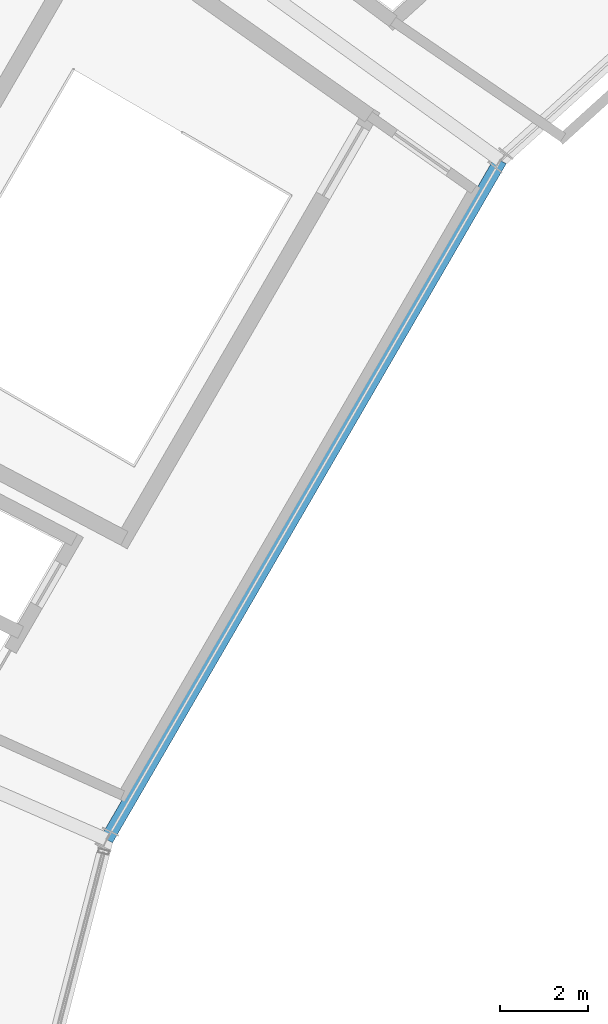
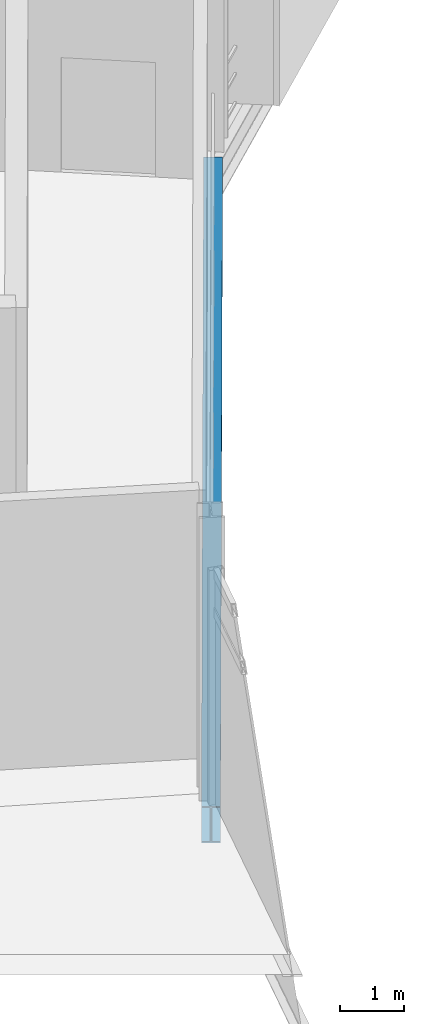
# One storey, part 45 of 86: 1 beam.
"""IFC4 building model written with IfcOpenShell, lengths in metres."""

import ifcopenshell
import ifcopenshell.guid

model = None  # the IFC model being written
_history = None  # IfcOwnerHistory: only IFC2X3 demands one
_inside = {}  # id of a spatial element -> (the spatial element, [elements in it])
_under = {}  # id of a project, library or spatial element -> (it, [spatial elements below it])
_declared = {}  # id of a project -> (the project, [libraries it declares])
_typed = {}  # id of a type object -> (the type object, [elements of that type])
_made_of = {}  # id of a material, layer set ... -> (it, [elements and type objects made of it])


def new_model(schema):
    """Start an empty IFC model of exactly this schema.

    Asked for "IFC4X3", IfcOpenShell would pick the latest addendum, in which some entities
    have other attributes; the version numbers below select the first issue.
    IFC2X3 requires an IfcOwnerHistory on every rooted entity: one is made here for all.
    """
    global model, _history
    if schema == "IFC4X3":
        model = ifcopenshell.file(schema_version=(4, 3, 0, 0))
    else:
        model = ifcopenshell.file(schema=schema)
    _inside.clear()
    _under.clear()
    _declared.clear()
    _typed.clear()
    _made_of.clear()
    _history = None
    if model.schema == "IFC2X3":
        org = make("IfcOrganization", Name="unknown")
        user = make(
            "IfcPersonAndOrganization",
            ThePerson=make("IfcPerson", FamilyName="unknown"),
            TheOrganization=org,
        )
        app = make(
            "IfcApplication",
            ApplicationDeveloper=org,
            Version="unknown",
            ApplicationFullName="unknown",
            ApplicationIdentifier="unknown",
        )
        _history = make(
            "IfcOwnerHistory",
            OwningUser=user,
            OwningApplication=app,
            ChangeAction="ADDED",
            CreationDate=0,
        )
    return model


def make(cls, **values):
    """One entity of the class cls with the attributes given. An attribute that is None is left unset."""
    return model.create_entity(
        cls, **{name: value for name, value in values.items() if value is not None}
    )


def rooted(cls, **values):
    """An entity with a GlobalId (a new one), such as an element, a storey or a relation."""
    return make(cls, GlobalId=ifcopenshell.guid.new(), OwnerHistory=_history, **values)


def si_unit(unit_type, name, prefix=None):
    """IfcSIUnit, for example si_unit("LENGTHUNIT", "METRE", prefix="MILLI")."""
    return make("IfcSIUnit", UnitType=unit_type, Prefix=prefix, Name=name)


def assignment(units):
    """IfcUnitAssignment: the units of a project."""
    return None if units is None else make("IfcUnitAssignment", Units=units)


def point(xyz):
    """IfcCartesianPoint."""
    return None if xyz is None else make("IfcCartesianPoint", Coordinates=xyz)


def direction(xyz):
    """IfcDirection."""
    return None if xyz is None else make("IfcDirection", DirectionRatios=xyz)


def frame(location, z_axis=None, x_axis=None):
    """IfcAxis2Placement3D, a coordinate frame: its origin and axes. An axis left out is left unset."""
    return make(
        "IfcAxis2Placement3D",
        Location=point(location),
        Axis=direction(z_axis),
        RefDirection=direction(x_axis),
    )


def frame_2d(location, x_axis=None):
    """IfcAxis2Placement2D, a coordinate frame in the plane: its origin and x axis."""
    return make(
        "IfcAxis2Placement2D", Location=point(location), RefDirection=direction(x_axis)
    )


def origin():
    """The frame at (0, 0, 0) with its axes left unset."""
    return frame((0.0, 0.0, 0.0))


def origin_2d():
    """The frame at (0, 0) in the plane with its x axis left unset."""
    return frame_2d((0.0, 0.0))


def place(relative_to, where):
    """IfcLocalPlacement: puts the frame where relative to a parent placement (None: the world)."""
    return make(
        "IfcLocalPlacement", PlacementRelTo=relative_to, RelativePlacement=where
    )


def context(
    kind, dimensions, precision=None, world=None, true_north=None, identifier=None
):
    """IfcGeometricRepresentationContext, for example the 3D "Model" context."""
    return make(
        "IfcGeometricRepresentationContext",
        ContextIdentifier=identifier,
        ContextType=kind,
        CoordinateSpaceDimension=dimensions,
        Precision=precision,
        WorldCoordinateSystem=world,
        TrueNorth=true_north,
    )


def subcontext(parent, identifier, kind, view, scale=None):
    """IfcGeometricRepresentationSubContext, for example "Body" below "Model"."""
    return make(
        "IfcGeometricRepresentationSubContext",
        ContextIdentifier=identifier,
        ContextType=kind,
        ParentContext=parent,
        TargetScale=scale,
        TargetView=view,
    )


def project(units=None, contexts=None):
    """IfcProject with its units and contexts."""
    return rooted(
        "IfcProject",
        Name="project",
        RepresentationContexts=contexts,
        UnitsInContext=assignment(units),
    )


def spatial(cls, under=None, at=None, **own):
    """A site, building, storey or space (cls), placed at a placement, below another one or the project."""
    s = rooted(cls, ObjectPlacement=at, **own)
    if under is not None:
        _under.setdefault(under.id(), (under, []))[1].append(s)
    return s


def profile(cls, at=None, kind="AREA", **sizes):
    """A parametric profile (cls). Its sizes go by their IFC names, for example OverallWidth=200.0."""
    return make(cls, ProfileType=kind, Position=at, **sizes)


def i_section(**sizes):
    """IfcIShapeProfileDef."""
    return profile("IfcIShapeProfileDef", **sizes)


def extrude(swept, where, along, depth):
    """IfcExtrudedAreaSolid: the profile swept, set in the frame where, extruded along a direction by depth."""
    return make(
        "IfcExtrudedAreaSolid",
        SweptArea=swept,
        Position=where,
        ExtrudedDirection=direction(along),
        Depth=depth,
    )


def shape(context_of_items, identifier, shape_type, items):
    """IfcShapeRepresentation: the items that make up one representation, for example the "Body"."""
    return make(
        "IfcShapeRepresentation",
        ContextOfItems=context_of_items,
        RepresentationIdentifier=identifier,
        RepresentationType=shape_type,
        Items=items,
    )


def material(Name=None, Category=None):
    """IfcMaterial."""
    return make("IfcMaterial", Name=Name, Category=Category)


def material_profile(
    of_material, cross_section, Name=None, Category=None, Priority=None
):
    """IfcMaterialProfile: a cross section and its material."""
    return make(
        "IfcMaterialProfile",
        Name=Name,
        Material=of_material,
        Profile=cross_section,
        Priority=Priority,
        Category=Category,
    )


def profile_set(profiles, Name=None, composite=None):
    """IfcMaterialProfileSet."""
    return make(
        "IfcMaterialProfileSet",
        Name=Name,
        MaterialProfiles=profiles,
        CompositeProfile=composite,
    )


def made_of(thing, what):
    """Note that an element or type object is made of a material, layer set ...; save() writes the relation."""
    if what is not None:
        _made_of.setdefault(what.id(), (what, []))[1].append(thing)
    return thing


def type_object(cls, material=None, **own):
    """A type object (cls), such as IfcWallType, which elements share."""
    return made_of(rooted(cls, **own), material)


def element(
    cls,
    number,
    at=None,
    inside=None,
    cuts=None,
    type_object=None,
    material=None,
    context=None,
    identifier="Body",
    shape_type=None,
    held_by="IfcProductDefinitionShape",
    body=None,
    shapes=None,
    **own,
):
    """One element of the class cls, such as IfcWall. Its Tag is "e" and its number.

    at: its placement. inside: the storey or other place that contains it. cuts: it is an
    opening in that element (IfcRelVoidsElement). A single representation is given by context,
    identifier, shape_type and body (its items); several are given by shapes. held_by: the class
    of the entity that holds the representations. save() writes the other relations.
    """
    e = rooted(cls, Tag="e%d" % number, ObjectPlacement=at, **own)
    if body is not None:
        shapes = [shape(context, identifier, shape_type, body)]
    if shapes is not None:
        e.Representation = make(held_by, Representations=shapes)
    if inside is not None:
        _inside.setdefault(inside.id(), (inside, []))[1].append(e)
    if cuts is not None:
        rooted(
            "IfcRelVoidsElement", RelatingBuildingElement=cuts, RelatedOpeningElement=e
        )
    if type_object is not None:
        _typed.setdefault(type_object.id(), (type_object, []))[1].append(e)
    return made_of(e, material)


def aggregate(whole, parts):
    """IfcRelAggregates: a whole, such as a stair, and the parts it consists of."""
    return rooted("IfcRelAggregates", RelatingObject=whole, RelatedObjects=parts)


def save(model, path):
    """Write the relations noted so far, then the file.

    IfcRelAggregates (storeys below a building ...), IfcRelContainedInSpatialStructure (elements
    in a storey), IfcRelDefinesByType, IfcRelAssociatesMaterial and IfcRelDeclares: one each for
    every whole, place, type object, material and project.
    """
    for whole, parts in _under.values():
        aggregate(whole, parts)
    for where, things in _inside.values():
        rooted(
            "IfcRelContainedInSpatialStructure",
            RelatedElements=things,
            RelatingStructure=where,
        )
    for kind, things in _typed.values():
        rooted("IfcRelDefinesByType", RelatedObjects=things, RelatingType=kind)
    for what, things in _made_of.values():
        rooted("IfcRelAssociatesMaterial", RelatedObjects=things, RelatingMaterial=what)
    for by, libraries in _declared.values():
        rooted("IfcRelDeclares", RelatingContext=by, RelatedDefinitions=libraries)
    model.write(path)


model = new_model("IFC4")

# Units and contexts
model_context = context("Model", 3, precision=1e-05, world=origin(), true_north=direction((0.0, 1.0)))
body_context = subcontext(model_context, "Body", "Model", "MODEL_VIEW")
ifc_project = project(units=[si_unit("LENGTHUNIT", "METRE"), si_unit("AREAUNIT", "SQUARE_METRE"), si_unit("VOLUMEUNIT", "CUBIC_METRE"), si_unit("PLANEANGLEUNIT", "RADIAN"), si_unit("MASSUNIT", "GRAM", prefix="KILO")], contexts=[model_context])

# Site, building, storey
site_placement = place(None, origin())
site = spatial("IfcSite", under=ifc_project, at=site_placement, CompositionType="ELEMENT")
building_placement = place(site_placement, origin())
building = spatial("IfcBuilding", under=site, at=building_placement, Name="Kazemori Nagisa Stadium", CompositionType="ELEMENT")
storey_placement = place(building_placement, frame((0.0, 0.0, 31.280029296875)))
storey = spatial("IfcBuildingStorey", under=building, at=storey_placement, Name="L06", CompositionType="ELEMENT", Elevation=31.280029296875)

# Beam
ifc_material = material(Name="Steel SN490B", Category="steel")
ifc_material_profile = material_profile(ifc_material, i_section(OverallWidth=0.300048828125, OverallDepth=0.699951171875, WebThickness=0.012939453125, FlangeThickness=0.02392578125, FilletRadius=0.01806640625, at=origin_2d()), Name="H-700x300x13x24")
ifc_profile_set = profile_set([ifc_material_profile], Name="Steel SN490B")
beam_type = type_object("IfcBeamType", Name="Beam_BG-H700", PredefinedType="BEAM", material=ifc_profile_set)
beam_placement = place(storey_placement, frame((55.493896484375, 150.734130859375, -0.610107421875), z_axis=(-0.501606704589, -0.865095783085, 0.0), x_axis=(0.865095783085, -0.501606704589, 0.0)))
element("IfcBeam", 1, at=beam_placement, inside=storey, type_object=beam_type, Name="Ring girder BG-H700 L06 R2-12", PredefinedType="BEAM", context=body_context, shape_type="SweptSolid", body=[
    extrude(i_section(OverallWidth=0.300048828125, OverallDepth=0.699951171875, WebThickness=0.012939453125, FlangeThickness=0.02392578125, FilletRadius=0.01806640625, at=origin_2d()), origin(), (0.0, 0.0, 1.0), 17.8125),
])

save(model, "model.ifc")
